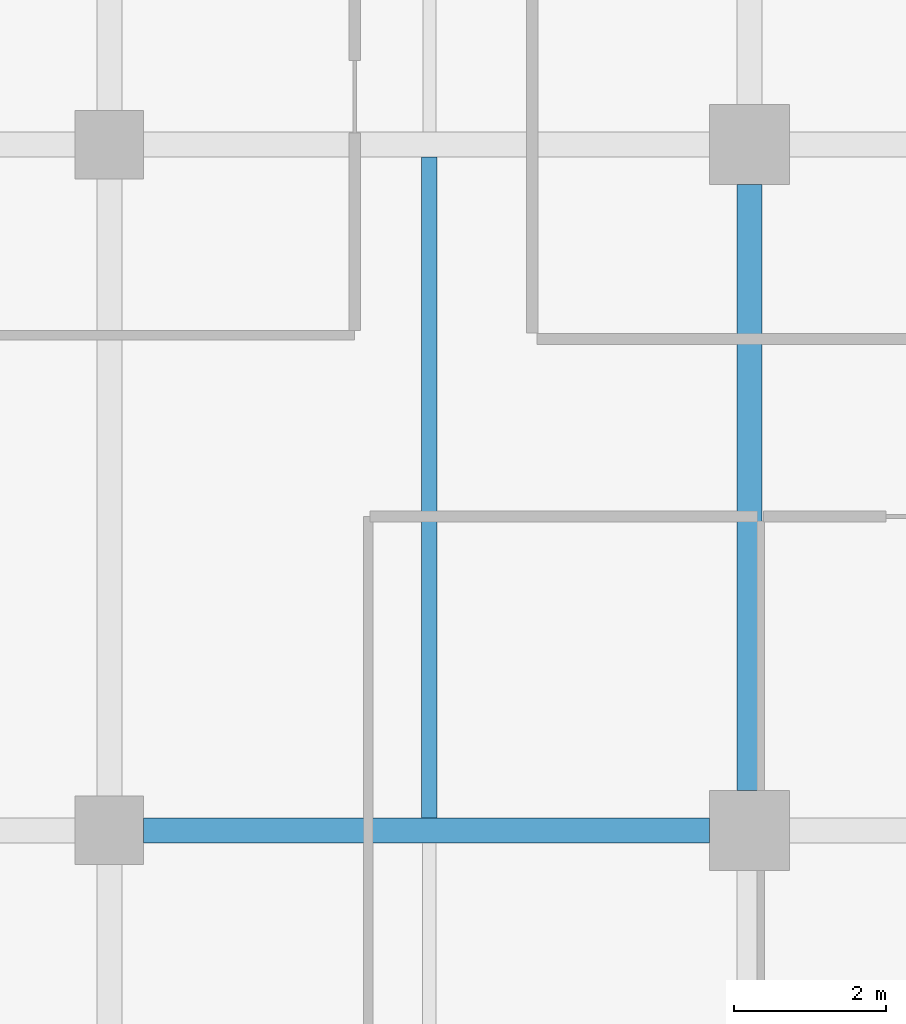
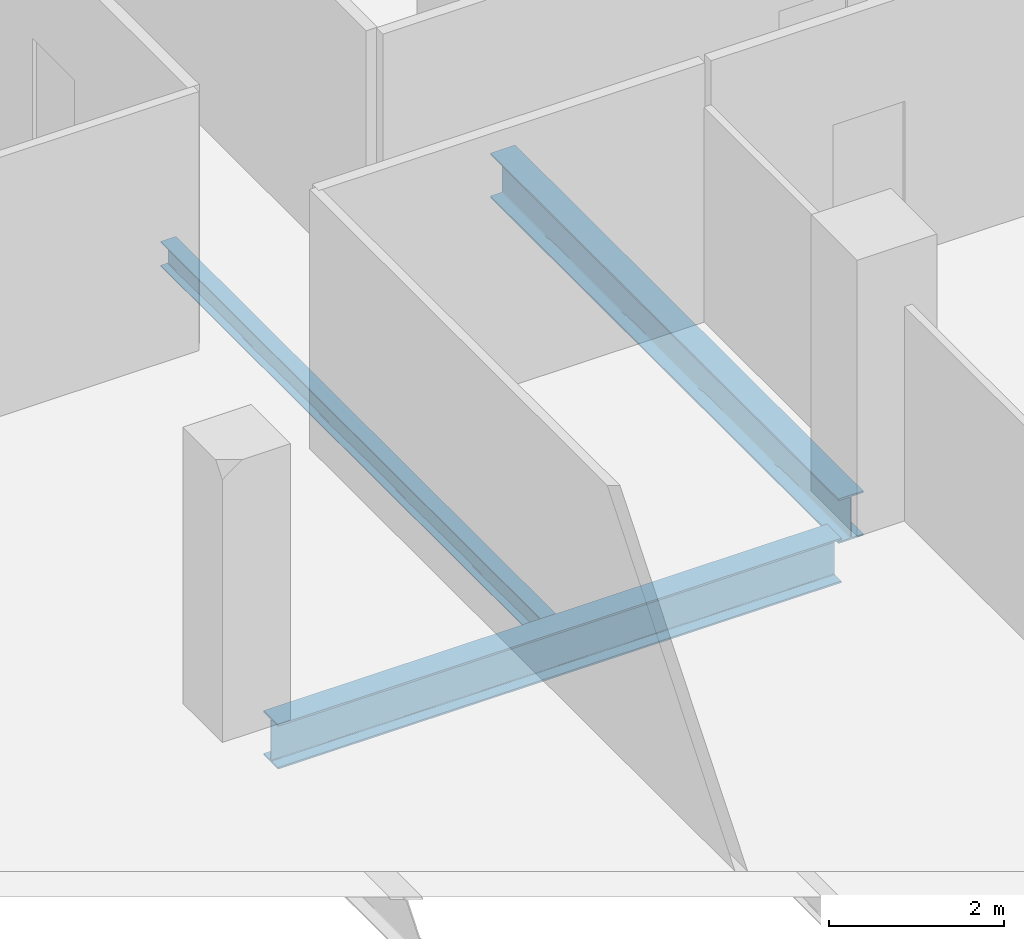
# One storey, part 6 of 39: 3 beams.
"""IFC4 building model written with IfcOpenShell, lengths in metres."""

from ifc_helpers import new_model, si_unit, direction, frame, origin, origin_2d, place, context, subcontext, project, spatial, i_section, extrude, material, material_profile, profile_set, type_object, element, save


model = new_model("IFC4")

# Units and contexts
model_context = context("Model", 3, precision=1e-05, world=origin(), true_north=direction((0.0, 1.0)))
body_context = subcontext(model_context, "Body", "Model", "MODEL_VIEW")
ifc_project = project(units=[si_unit("LENGTHUNIT", "METRE"), si_unit("AREAUNIT", "SQUARE_METRE"), si_unit("VOLUMEUNIT", "CUBIC_METRE"), si_unit("PLANEANGLEUNIT", "RADIAN"), si_unit("MASSUNIT", "GRAM", prefix="KILO")], contexts=[model_context])

# Site, building, storey
site_placement = place(None, origin())
site = spatial("IfcSite", under=ifc_project, at=site_placement, CompositionType="ELEMENT")
building_placement = place(site_placement, origin())
building = spatial("IfcBuilding", under=site, at=building_placement, Name="Maruvema Waterfront Hotel and Observation Tower", CompositionType="ELEMENT")
storey_placement = place(building_placement, frame((0.0, 0.0, 65.449951171875)))
storey = spatial("IfcBuildingStorey", under=building, at=storey_placement, Name="L15", CompositionType="ELEMENT", Elevation=65.449951171875)

# Beams
ifc_material_1 = material(Name="Steel ASTM A572 Grade 50", Category="steel")
ifc_material_profile_1 = material_profile(ifc_material_1, i_section(OverallWidth=0.326904296875, OverallDepth=0.6220703125, WebThickness=0.015380859375, FlangeThickness=0.0244140625, FilletRadius=0.01806640625, at=origin_2d()), Name="W610x195.0")
ifc_profile_set_1 = profile_set([ifc_material_profile_1], Name="Steel ASTM A572 Grade 50")
beam_type_1 = type_object("IfcBeamType", Name="Primary Floor Girder W610x195.0", PredefinedType="BEAM", material=ifc_profile_set_1)
beam_1_placement = place(storey_placement, frame((17.25, 9.0, -0.551025390625), z_axis=(1.0, 0.0, 0.0), x_axis=(0.0, 1.0, 0.0)))
element("IfcBeam", 1, at=beam_1_placement, inside=storey, type_object=beam_type_1, Name="L15 Floor Girder EW-07", PredefinedType="BEAM", context=body_context, shape_type="SweptSolid", body=[
    extrude(i_section(OverallWidth=0.326904296875, OverallDepth=0.6220703125, WebThickness=0.015380859375, FlangeThickness=0.0244140625, FilletRadius=0.01806640625, at=origin_2d()), origin(), (0.0, 0.0, 1.0), 7.425048828125),
])
beam_2_placement = place(storey_placement, frame((25.199951171875, 9.52490234375, -0.551025390625), z_axis=(0.0, 1.0, 0.0), x_axis=(-1.0, 0.0, 0.0)))
element("IfcBeam", 2, at=beam_2_placement, inside=storey, type_object=beam_type_1, Name="L15 Floor Girder NS-12", PredefinedType="BEAM", context=body_context, shape_type="SweptSolid", body=[
    extrude(i_section(OverallWidth=0.326904296875, OverallDepth=0.6220703125, WebThickness=0.015380859375, FlangeThickness=0.0244140625, FilletRadius=0.01806640625, at=origin_2d()), origin(), (0.0, 0.0, 1.0), 7.9501953125),
])
ifc_material_2 = material(Name="Steel ASTM A572 Grade 50", Category="steel")
ifc_material_profile_2 = material_profile(ifc_material_2, i_section(OverallWidth=0.202880859375, OverallDepth=0.346923828125, WebThickness=0.0078125, FlangeThickness=0.013427734375, FilletRadius=0.014892578125, at=origin_2d()), Name="W360x64.0")
ifc_profile_set_2 = profile_set([ifc_material_profile_2], Name="Steel ASTM A572 Grade 50")
beam_type_2 = type_object("IfcBeamType", Name="Secondary Floor Joist W360x64.0", PredefinedType="JOIST", material=ifc_profile_set_2)
beam_3_placement = place(storey_placement, frame((21.0, 9.16357421875, -0.413330078125), z_axis=(0.0, 1.0, 0.0), x_axis=(-1.0, 0.0, 0.0)))
element("IfcBeam", 3, at=beam_3_placement, inside=storey, type_object=beam_type_2, Name="L15 Secondary Floor Joist JS-06", PredefinedType="JOIST", context=body_context, shape_type="SweptSolid", body=[
    extrude(i_section(OverallWidth=0.202880859375, OverallDepth=0.346923828125, WebThickness=0.0078125, FlangeThickness=0.013427734375, FilletRadius=0.014892578125, at=origin_2d()), origin(), (0.0, 0.0, 1.0), 8.6728515625),
])

save(model, "model.ifc")
